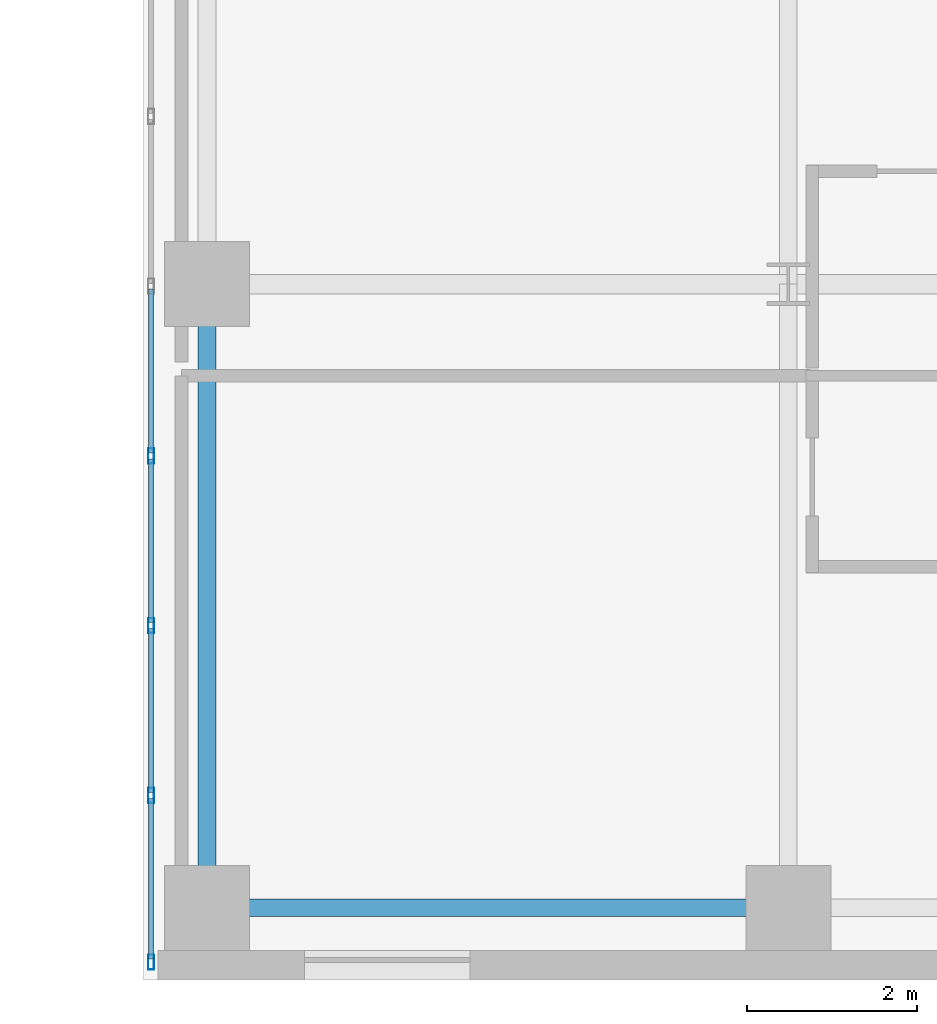
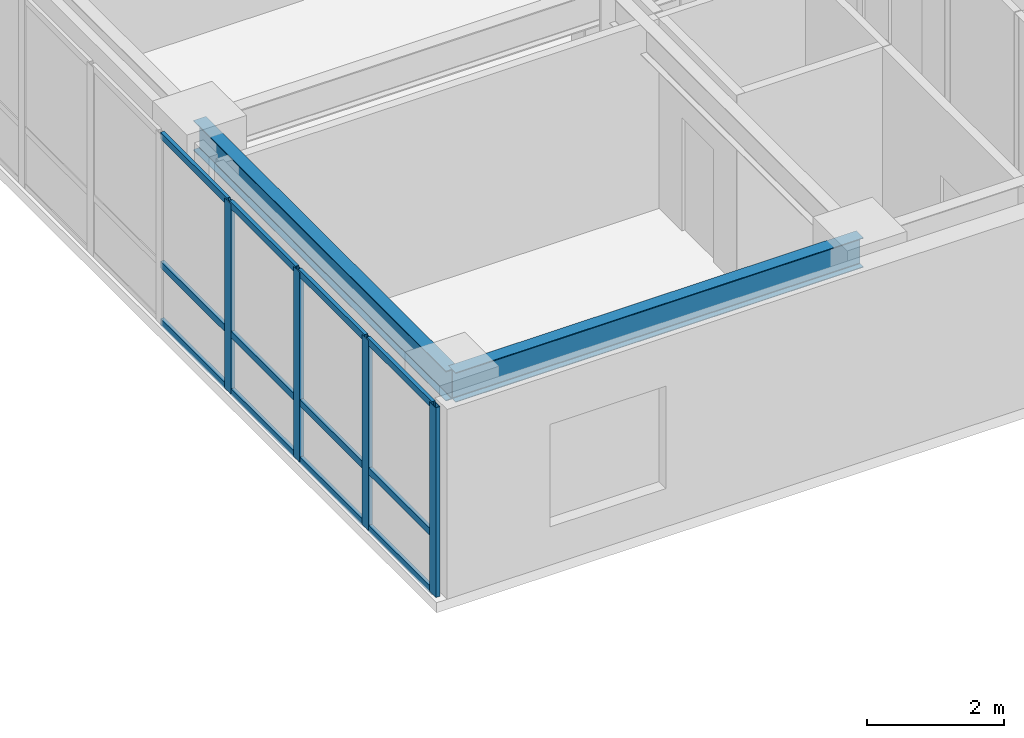
# One storey, part 5 of 17: 16 members, 2 beams, 1 element without a shape of its own.
"""IFC4 building model written with IfcOpenShell, lengths in metres."""

from ifc_helpers import new_model, si_unit, direction, frame, origin, origin_2d, place, context, subcontext, project, spatial, hollow_rectangle, i_section, extrude, source, transform, mapped, material, layer, layer_set, material_profile, profile_set, type_object, type_shapes, element, aggregate, save


model = new_model("IFC4")

# Units and contexts
model_context = context("Model", 3, precision=1e-05, world=origin(), true_north=direction((0.0, 1.0)))
body_context = subcontext(model_context, "Body", "Model", "MODEL_VIEW")
ifc_project = project(units=[si_unit("LENGTHUNIT", "METRE"), si_unit("AREAUNIT", "SQUARE_METRE"), si_unit("VOLUMEUNIT", "CUBIC_METRE"), si_unit("PLANEANGLEUNIT", "RADIAN"), si_unit("MASSUNIT", "GRAM", prefix="KILO")], contexts=[model_context])

# Site, building, storey
site_placement = place(None, origin())
site = spatial("IfcSite", under=ifc_project, at=site_placement, CompositionType="ELEMENT")
building_placement = place(site_placement, origin())
building = spatial("IfcBuilding", under=site, at=building_placement, Name="Tolvann Quenvar Hotel", CompositionType="ELEMENT")
storey_placement = place(building_placement, frame((0.0, 0.0, 35.550048828125)))
storey = spatial("IfcBuildingStorey", under=building, at=storey_placement, Name="L07", CompositionType="ELEMENT", Elevation=35.550048828125)

# Beams
ifc_material_1 = material(Name="Steel Grade 350", Category="steel")
ifc_material_profile_1 = material_profile(ifc_material_1, i_section(OverallWidth=0.208984375, OverallDepth=0.528076171875, WebThickness=0.009521484375, FlangeThickness=0.01318359375, FilletRadius=0.013916015625, at=origin_2d()), Name="530UB82")
ifc_profile_set_1 = profile_set([ifc_material_profile_1], Name="Steel Grade 350")
beam_type_1 = type_object("IfcBeamType", Name="BM_SPAND_530UB82", PredefinedType="SPANDREL", material=ifc_profile_set_1)
shared_shape_1 = source(origin(), body_context, "Body", "SweptSolid", [
    extrude(i_section(OverallWidth=0.208984375, OverallDepth=0.528076171875, WebThickness=0.009521484375, FlangeThickness=0.01318359375, FilletRadius=0.013916015625, at=origin_2d()), origin(), (0.0, 0.0, 1.0), 6.85009765625),
])
type_shapes(beam_type_1, [shared_shape_1])
beam_1_placement = place(storey_placement, frame((34.949951171875, 0.85009765625, 3.10595703125), z_axis=(1.0, 0.0, 0.0), x_axis=(0.0, 1.0, 0.0)))
element("IfcBeam", 1, at=beam_1_placement, inside=storey, type_object=beam_type_1, Name="BM-L07-EW-2-F2-H2", PredefinedType="SPANDREL", context=body_context, shape_type="MappedRepresentation", body=[
    mapped(shared_shape_1, transform((0.0, 0.0, 0.0), x_axis=(1.0, 0.0, 0.0), y_axis=(0.0, 1.0, 0.0), z_axis=(0.0, 0.0, 1.0), scale=1.0)),
])
ifc_material_profile_2 = material_profile(ifc_material_1, i_section(OverallWidth=0.208984375, OverallDepth=0.532958984375, WebThickness=0.01025390625, FlangeThickness=0.015625, FilletRadius=0.013916015625, at=origin_2d()), Name="530UB92")
ifc_profile_set_2 = profile_set([ifc_material_profile_2], Name="Steel Grade 350")
beam_type_2 = type_object("IfcBeamType", Name="BM_GIRD_530UB92", PredefinedType="BEAM", material=ifc_profile_set_2)
shared_shape_2 = source(origin(), body_context, "Body", "SweptSolid", [
    extrude(i_section(OverallWidth=0.208984375, OverallDepth=0.532958984375, WebThickness=0.01025390625, FlangeThickness=0.015625, FilletRadius=0.013916015625, at=origin_2d()), origin(), (0.0, 0.0, 1.0), 7.349853515625),
])
type_shapes(beam_type_2, [shared_shape_2])
beam_2_placement = place(storey_placement, frame((34.949951171875, 0.85009765625, 3.103515625), z_axis=(0.0, 1.0, 0.0), x_axis=(-1.0, 0.0, 0.0)))
element("IfcBeam", 2, at=beam_2_placement, inside=storey, type_object=beam_type_2, Name="BM-L07-NS-F2-F3", PredefinedType="BEAM", context=body_context, shape_type="MappedRepresentation", body=[
    mapped(shared_shape_2, transform((0.0, 0.0, 0.0), x_axis=(1.0, 0.0, 0.0), y_axis=(0.0, 1.0, 0.0), z_axis=(0.0, 0.0, 1.0), scale=1.0)),
])

# Curtain wall, members
ifc_material_2 = material(Name="Thermally broken anodised architectural aluminium 6063-T6 and laminated low-E glass", Category="aluminium")
ifc_layer = layer(ifc_material_2, 0.179931640625)
ifc_layer_set = layer_set([ifc_layer], Name="Thermally broken anodised architectural aluminium 6063-T6 and laminated low-E glass")
curtain_wall_type = type_object("IfcCurtainWallType", Name="CW_SYS_SLOT_03", PredefinedType="USERDEFINED", material=ifc_layer_set)
curtain_wall_placement = place(storey_placement, origin())
curtain_wall = element("IfcCurtainWall", 3, at=curtain_wall_placement, inside=storey, type_object=curtain_wall_type, Name="Curtain Wall CW-SLOT-03 (CWR-L07-E07)", ObjectType="UNITISED CURTAIN WALL", PredefinedType="USERDEFINED")
ifc_material_3 = material(Name="Anodised architectural aluminium 6063-T6 framing", Category="aluminium")
ifc_material_profile_3 = material_profile(ifc_material_3, hollow_rectangle(XDim=0.06005859375, YDim=0.1201171875, WallThickness=0.00341796875, at=origin_2d()), Name="120x60x3.5RHS")
ifc_profile_set_3 = profile_set([ifc_material_profile_3], Name="Anodised architectural aluminium 6063-T6 framing")
member_type_1 = type_object("IfcMemberType", Name="CW_TRAN_120x60", PredefinedType="USERDEFINED", material=ifc_profile_set_3)
shared_shape_3 = source(origin(), body_context, "Body", "SweptSolid", [
    extrude(hollow_rectangle(XDim=0.06005859375, YDim=0.1201171875, WallThickness=0.00341796875, at=origin_2d()), origin(), (0.0, 0.0, 1.0), 1.894775390625),
])
member_1_placement = place(storey_placement, frame((34.2900390625, 2.139892578125, 0.030029296875), z_axis=(0.0, -1.0, 0.0), x_axis=(1.0, 0.0, 0.0)))
member_1 = element("IfcMember", 4, at=member_1_placement, type_object=member_type_1, Name="CW-SLOT-03 transom 8.1", ObjectType="TRANSOM", PredefinedType="USERDEFINED", context=body_context, shape_type="MappedRepresentation", body=[
    mapped(shared_shape_3, transform((0.0, 0.0, 0.0), x_axis=(1.0, 0.0, 0.0), y_axis=(0.0, 1.0, 0.0), z_axis=(0.0, 0.0, 1.0), scale=1.0)),
])
member_2_placement = place(storey_placement, frame((34.2900390625, 2.139892578125, 1.050048828125), z_axis=(0.0, -1.0, 0.0), x_axis=(1.0, 0.0, 0.0)))
member_2 = element("IfcMember", 5, at=member_2_placement, type_object=member_type_1, Name="CW-SLOT-03 transom 8.2", ObjectType="TRANSOM", PredefinedType="USERDEFINED", context=body_context, shape_type="MappedRepresentation", body=[
    mapped(shared_shape_3, transform((0.0, 0.0, 0.0), x_axis=(1.0, 0.0, 0.0), y_axis=(0.0, 1.0, 0.0), z_axis=(0.0, 0.0, 1.0), scale=1.0)),
])
member_3_placement = place(storey_placement, frame((34.2900390625, 2.139892578125, 3.33984375), z_axis=(0.0, -1.0, 0.0), x_axis=(1.0, 0.0, 0.0)))
member_3 = element("IfcMember", 6, at=member_3_placement, type_object=member_type_1, Name="CW-SLOT-03 transom 8.3", ObjectType="TRANSOM", PredefinedType="USERDEFINED", context=body_context, shape_type="MappedRepresentation", body=[
    mapped(shared_shape_3, transform((0.0, 0.0, 0.0), x_axis=(1.0, 0.0, 0.0), y_axis=(0.0, 1.0, 0.0), z_axis=(0.0, 0.0, 1.0), scale=1.0)),
])
shared_shape_4 = source(origin(), body_context, "Body", "SweptSolid", [
    extrude(hollow_rectangle(XDim=0.06005859375, YDim=0.1201171875, WallThickness=0.00341796875, at=origin_2d()), origin(), (0.0, 0.0, 1.0), 1.929931640625),
])
type_shapes(member_type_1, [shared_shape_3, shared_shape_4])
member_4_placement = place(storey_placement, frame((34.2900390625, 8.139892578125, 0.030029296875), z_axis=(0.0, -1.0, 0.0), x_axis=(1.0, 0.0, 0.0)))
member_4 = element("IfcMember", 7, at=member_4_placement, type_object=member_type_1, Name="CW-SLOT-03 transom 5.1", ObjectType="TRANSOM", PredefinedType="USERDEFINED", context=body_context, shape_type="MappedRepresentation", body=[
    mapped(shared_shape_4, transform((0.0, 0.0, 0.0), x_axis=(1.0, 0.0, 0.0), y_axis=(0.0, 1.0, 0.0), z_axis=(0.0, 0.0, 1.0), scale=1.0)),
])
member_5_placement = place(storey_placement, frame((34.2900390625, 8.139892578125, 1.050048828125), z_axis=(0.0, -1.0, 0.0), x_axis=(1.0, 0.0, 0.0)))
member_5 = element("IfcMember", 8, at=member_5_placement, type_object=member_type_1, Name="CW-SLOT-03 transom 5.2", ObjectType="TRANSOM", PredefinedType="USERDEFINED", context=body_context, shape_type="MappedRepresentation", body=[
    mapped(shared_shape_4, transform((0.0, 0.0, 0.0), x_axis=(1.0, 0.0, 0.0), y_axis=(0.0, 1.0, 0.0), z_axis=(0.0, 0.0, 1.0), scale=1.0)),
])
member_6_placement = place(storey_placement, frame((34.2900390625, 8.139892578125, 3.33984375), z_axis=(0.0, -1.0, 0.0), x_axis=(1.0, 0.0, 0.0)))
member_6 = element("IfcMember", 9, at=member_6_placement, type_object=member_type_1, Name="CW-SLOT-03 transom 5.3", ObjectType="TRANSOM", PredefinedType="USERDEFINED", context=body_context, shape_type="MappedRepresentation", body=[
    mapped(shared_shape_4, transform((0.0, 0.0, 0.0), x_axis=(1.0, 0.0, 0.0), y_axis=(0.0, 1.0, 0.0), z_axis=(0.0, 0.0, 1.0), scale=1.0)),
])
member_7_placement = place(storey_placement, frame((34.2900390625, 6.139892578125, 0.030029296875), z_axis=(0.0, -1.0, 0.0), x_axis=(1.0, 0.0, 0.0)))
member_7 = element("IfcMember", 10, at=member_7_placement, type_object=member_type_1, Name="CW-SLOT-03 transom 6.1", ObjectType="TRANSOM", PredefinedType="USERDEFINED", context=body_context, shape_type="MappedRepresentation", body=[
    mapped(shared_shape_4, transform((0.0, 0.0, 0.0), x_axis=(1.0, 0.0, 0.0), y_axis=(0.0, 1.0, 0.0), z_axis=(0.0, 0.0, 1.0), scale=1.0)),
])
member_8_placement = place(storey_placement, frame((34.2900390625, 6.139892578125, 1.050048828125), z_axis=(0.0, -1.0, 0.0), x_axis=(1.0, 0.0, 0.0)))
member_8 = element("IfcMember", 11, at=member_8_placement, type_object=member_type_1, Name="CW-SLOT-03 transom 6.2", ObjectType="TRANSOM", PredefinedType="USERDEFINED", context=body_context, shape_type="MappedRepresentation", body=[
    mapped(shared_shape_4, transform((0.0, 0.0, 0.0), x_axis=(1.0, 0.0, 0.0), y_axis=(0.0, 1.0, 0.0), z_axis=(0.0, 0.0, 1.0), scale=1.0)),
])
member_9_placement = place(storey_placement, frame((34.2900390625, 6.139892578125, 3.33984375), z_axis=(0.0, -1.0, 0.0), x_axis=(1.0, 0.0, 0.0)))
member_9 = element("IfcMember", 12, at=member_9_placement, type_object=member_type_1, Name="CW-SLOT-03 transom 6.3", ObjectType="TRANSOM", PredefinedType="USERDEFINED", context=body_context, shape_type="MappedRepresentation", body=[
    mapped(shared_shape_4, transform((0.0, 0.0, 0.0), x_axis=(1.0, 0.0, 0.0), y_axis=(0.0, 1.0, 0.0), z_axis=(0.0, 0.0, 1.0), scale=1.0)),
])
member_10_placement = place(storey_placement, frame((34.2900390625, 4.139892578125, 0.030029296875), z_axis=(0.0, -1.0, 0.0), x_axis=(1.0, 0.0, 0.0)))
member_10 = element("IfcMember", 13, at=member_10_placement, type_object=member_type_1, Name="CW-SLOT-03 transom 7.1", ObjectType="TRANSOM", PredefinedType="USERDEFINED", context=body_context, shape_type="MappedRepresentation", body=[
    mapped(shared_shape_4, transform((0.0, 0.0, 0.0), x_axis=(1.0, 0.0, 0.0), y_axis=(0.0, 1.0, 0.0), z_axis=(0.0, 0.0, 1.0), scale=1.0)),
])
member_11_placement = place(storey_placement, frame((34.2900390625, 4.139892578125, 1.050048828125), z_axis=(0.0, -1.0, 0.0), x_axis=(1.0, 0.0, 0.0)))
member_11 = element("IfcMember", 14, at=member_11_placement, type_object=member_type_1, Name="CW-SLOT-03 transom 7.2", ObjectType="TRANSOM", PredefinedType="USERDEFINED", context=body_context, shape_type="MappedRepresentation", body=[
    mapped(shared_shape_4, transform((0.0, 0.0, 0.0), x_axis=(1.0, 0.0, 0.0), y_axis=(0.0, 1.0, 0.0), z_axis=(0.0, 0.0, 1.0), scale=1.0)),
])
member_12_placement = place(storey_placement, frame((34.2900390625, 4.139892578125, 3.33984375), z_axis=(0.0, -1.0, 0.0), x_axis=(1.0, 0.0, 0.0)))
member_12 = element("IfcMember", 15, at=member_12_placement, type_object=member_type_1, Name="CW-SLOT-03 transom 7.3", ObjectType="TRANSOM", PredefinedType="USERDEFINED", context=body_context, shape_type="MappedRepresentation", body=[
    mapped(shared_shape_4, transform((0.0, 0.0, 0.0), x_axis=(1.0, 0.0, 0.0), y_axis=(0.0, 1.0, 0.0), z_axis=(0.0, 0.0, 1.0), scale=1.0)),
])
ifc_material_profile_4 = material_profile(ifc_material_3, hollow_rectangle(XDim=0.070068359375, YDim=0.179931640625, WallThickness=0.00390625, at=origin_2d()), Name="180x70x4RHS")
ifc_profile_set_4 = profile_set([ifc_material_profile_4], Name="Anodised architectural aluminium 6063-T6 framing")
member_type_2 = type_object("IfcMemberType", Name="CW_MULL_180x70", PredefinedType="MULLION", material=ifc_profile_set_4)
shared_shape_5 = source(origin(), body_context, "Body", "SweptSolid", [
    extrude(hollow_rectangle(XDim=0.070068359375, YDim=0.179931640625, WallThickness=0.00390625, at=origin_2d()), origin(), (0.0, 0.0, 1.0), 3.369873046875),
])
type_shapes(member_type_2, [shared_shape_5])
member_13_placement = place(storey_placement, frame((34.2900390625, 6.175048828125, 0.0), z_axis=(0.0, 0.0, 1.0), x_axis=(1.0, 0.0, 0.0)))
member_13 = element("IfcMember", 16, at=member_13_placement, type_object=member_type_2, Name="CW-SLOT-03 mullion 6", PredefinedType="MULLION", context=body_context, shape_type="MappedRepresentation", body=[
    mapped(shared_shape_5, transform((0.0, 0.0, 0.0), x_axis=(1.0, 0.0, 0.0), y_axis=(0.0, 1.0, 0.0), z_axis=(0.0, 0.0, 1.0), scale=1.0)),
])
member_14_placement = place(storey_placement, frame((34.2900390625, 4.175048828125, 0.0), z_axis=(0.0, 0.0, 1.0), x_axis=(1.0, 0.0, 0.0)))
member_14 = element("IfcMember", 17, at=member_14_placement, type_object=member_type_2, Name="CW-SLOT-03 mullion 7", PredefinedType="MULLION", context=body_context, shape_type="MappedRepresentation", body=[
    mapped(shared_shape_5, transform((0.0, 0.0, 0.0), x_axis=(1.0, 0.0, 0.0), y_axis=(0.0, 1.0, 0.0), z_axis=(0.0, 0.0, 1.0), scale=1.0)),
])
member_15_placement = place(storey_placement, frame((34.2900390625, 2.175048828125, 0.0), z_axis=(0.0, 0.0, 1.0), x_axis=(1.0, 0.0, 0.0)))
member_15 = element("IfcMember", 18, at=member_15_placement, type_object=member_type_2, Name="CW-SLOT-03 mullion 8", PredefinedType="MULLION", context=body_context, shape_type="MappedRepresentation", body=[
    mapped(shared_shape_5, transform((0.0, 0.0, 0.0), x_axis=(1.0, 0.0, 0.0), y_axis=(0.0, 1.0, 0.0), z_axis=(0.0, 0.0, 1.0), scale=1.0)),
])
member_16_placement = place(storey_placement, frame((34.2900390625, 0.2099609375, 0.0), z_axis=(0.0, 0.0, 1.0), x_axis=(1.0, 0.0, 0.0)))
member_16 = element("IfcMember", 19, at=member_16_placement, type_object=member_type_2, Name="CW-SLOT-03 mullion 9", PredefinedType="MULLION", context=body_context, shape_type="MappedRepresentation", body=[
    mapped(shared_shape_5, transform((0.0, 0.0, 0.0), x_axis=(1.0, 0.0, 0.0), y_axis=(0.0, 1.0, 0.0), z_axis=(0.0, 0.0, 1.0), scale=1.0)),
])
aggregate(curtain_wall, [member_13, member_14, member_15, member_16, member_4, member_5, member_6, member_7, member_8, member_9, member_10, member_11, member_12, member_1, member_2, member_3])

save(model, "model.ifc")
